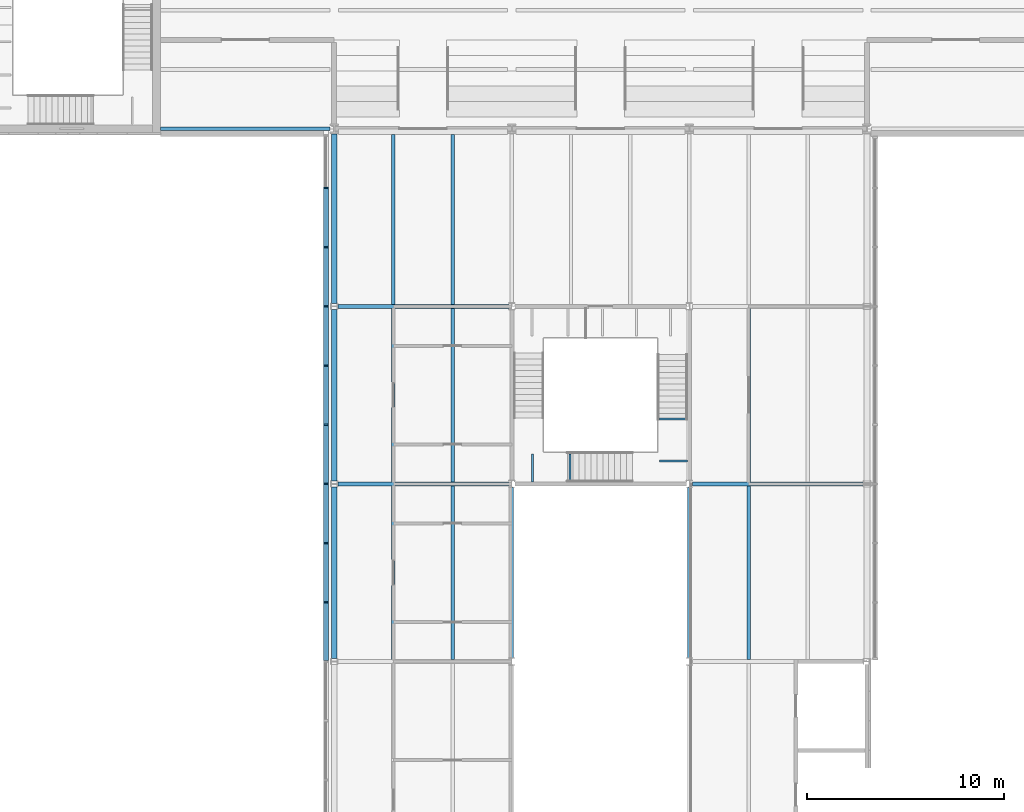
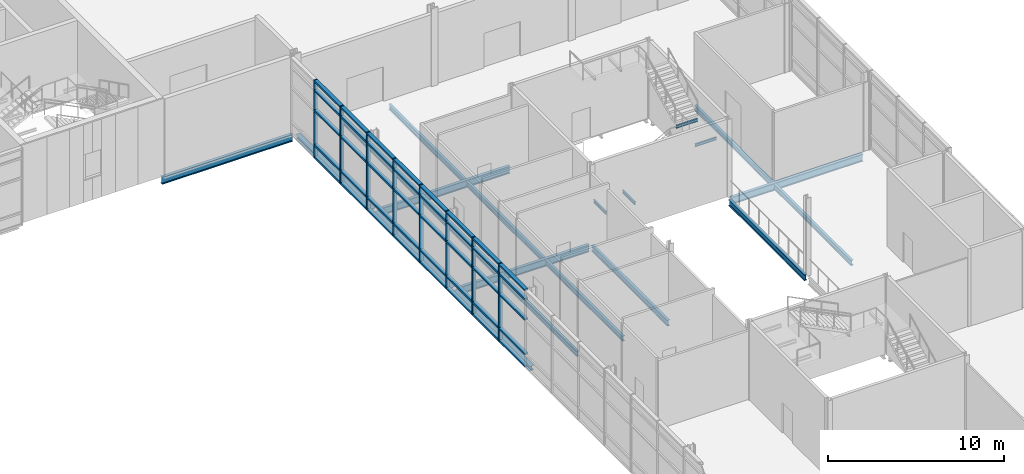
# One storey, part 17 of 52: 48 members, 21 beams, 1 element without a shape of its own.
"""IFC4 building model written with IfcOpenShell, lengths in metres."""

from ifc_helpers import new_model, si_unit, direction, frame, origin, origin_2d, place, context, subcontext, project, spatial, rectangle, i_section, extrude, material, material_profile, profile_set, type_object, element, aggregate, save


model = new_model("IFC4")

# Units and contexts
model_context = context("Model", 3, precision=1e-05, world=origin(), true_north=direction((0.0, 1.0)))
body_context = subcontext(model_context, "Body", "Model", "MODEL_VIEW")
ifc_project = project(units=[si_unit("LENGTHUNIT", "METRE"), si_unit("AREAUNIT", "SQUARE_METRE"), si_unit("VOLUMEUNIT", "CUBIC_METRE"), si_unit("PLANEANGLEUNIT", "RADIAN"), si_unit("MASSUNIT", "GRAM", prefix="KILO")], contexts=[model_context])

# Site, building, storey
site_placement = place(None, origin())
site = spatial("IfcSite", under=ifc_project, at=site_placement, CompositionType="ELEMENT")
building_placement = place(site_placement, origin())
building = spatial("IfcBuilding", under=site, at=building_placement, Name="Azimuth Sports and Learning Centre", CompositionType="ELEMENT")
storey_placement = place(building_placement, frame((0.0, 0.0, 16.199951171875)))
storey = spatial("IfcBuildingStorey", under=building, at=storey_placement, Name="L03", CompositionType="ELEMENT", Elevation=16.199951171875)

# Beams
ifc_material_1 = material(Name="Steel S355", Category="steel")
ifc_material_profile_1 = material_profile(ifc_material_1, i_section(OverallWidth=0.10009765625, OverallDepth=0.199951171875, WebThickness=0.005615234375, FlangeThickness=0.008544921875, FilletRadius=0.011962890625, at=origin_2d()), Name="IPE 200")
ifc_profile_set_1 = profile_set([ifc_material_profile_1], Name="Steel S355")
beam_type_1 = type_object("IfcBeamType", Name="Beam IPE 200", PredefinedType="BEAM", material=ifc_profile_set_1)
for number, where, z_axis, x_axis, name in (
    (1, (82.06005859375, 72.10009765625, 1.5), (0.0, 1.0, 0.0), (-1.0, 0.0, 0.0), "Landing bracket STD L03 1188"),
    (2, (83.9599609375, 72.10009765625, 1.5), (0.0, 1.0, 0.0), (-1.0, 0.0, 0.0), "Landing bracket STD L03 1189"),
    (3, (89.89990234375, 73.172607421875, 3.300048828125), (-1.0, 0.0, 0.0), (0.0, -1.0, 0.0), "Landing bracket STD L03 1190"),
    (4, (89.89990234375, 75.297607421875, 3.300048828125), (-1.0, 0.0, 0.0), (0.0, -1.0, 0.0), "Landing bracket STD L03 1191"),
):
    element("IfcBeam", number, at=place(storey_placement, frame(where, z_axis=z_axis, x_axis=x_axis)), inside=storey, type_object=beam_type_1, Name=name, PredefinedType="BEAM", context=body_context, shape_type="SweptSolid", body=[
        extrude(i_section(OverallWidth=0.10009765625, OverallDepth=0.199951171875, WebThickness=0.005615234375, FlangeThickness=0.008544921875, FilletRadius=0.011962890625, at=origin_2d()), origin(), (0.0, 0.0, 1.0), 1.409912109375),
    ])
ifc_material_2 = material(Name="Steel S355", Category="steel")
ifc_material_profile_2 = material_profile(ifc_material_2, i_section(OverallWidth=0.179931640625, OverallDepth=0.39990234375, WebThickness=0.008544921875, FlangeThickness=0.013427734375, FilletRadius=0.02099609375, at=origin_2d()), Name="IPE 400")
ifc_profile_set_2 = profile_set([ifc_material_profile_2], Name="Steel S355")
beam_type_2 = type_object("IfcBeamType", Name="Beam IPE 400", PredefinedType="BEAM", material=ifc_profile_set_2)
for number, where, z_axis, x_axis, name in (
    (5, (81.0, 63.179931640625, -0.349853515625), (0.0, 1.0, 0.0), (-1.0, 0.0, 0.0), "Beam L03 ST 33"),
    (6, (90.0, 63.179931640625, -0.349853515625), (0.0, 1.0, 0.0), (-1.0, 0.0, 0.0), "Beam L03 ST 39"),
):
    element("IfcBeam", number, at=place(storey_placement, frame(where, z_axis=z_axis, x_axis=x_axis)), inside=storey, type_object=beam_type_2, Name=name, PredefinedType="BEAM", context=body_context, shape_type="SweptSolid", body=[
        extrude(i_section(OverallWidth=0.179931640625, OverallDepth=0.39990234375, WebThickness=0.008544921875, FlangeThickness=0.013427734375, FilletRadius=0.02099609375, at=origin_2d()), origin(), (0.0, 0.0, 1.0), 8.64013671875),
    ])
ifc_material_3 = material(Name="Steel S355", Category="steel")
ifc_material_profile_3 = material_profile(ifc_material_3, i_section(OverallWidth=0.199951171875, OverallDepth=0.5, WebThickness=0.01025390625, FlangeThickness=0.01611328125, FilletRadius=0.02099609375, at=origin_2d()), Name="IPE 500")
ifc_profile_set_3 = profile_set([ifc_material_profile_3], Name="Steel S355")
beam_type_3 = type_object("IfcBeamType", Name="Beam IPE 500", PredefinedType="BEAM", material=ifc_profile_set_3)
for number, where, z_axis, x_axis, name in (
    (7, (72.179931640625, 72.0, -0.39990234375), (1.0, 0.0, 0.0), (0.0, 1.0, 0.0), "Beam L03 ST 14"),
    (8, (90.14990234375, 72.0, -0.39990234375), (1.0, 0.0, 0.0), (0.0, 1.0, 0.0), "Beam L03 ST 15"),
    (9, (72.179931640625, 81.0, -0.39990234375), (1.0, 0.0, 0.0), (0.0, 1.0, 0.0), "Beam L03 ST 16"),
):
    element("IfcBeam", number, at=place(storey_placement, frame(where, z_axis=z_axis, x_axis=x_axis)), inside=storey, type_object=beam_type_3, Name=name, PredefinedType="BEAM", context=body_context, shape_type="SweptSolid", body=[
        extrude(i_section(OverallWidth=0.199951171875, OverallDepth=0.5, WebThickness=0.01025390625, FlangeThickness=0.01611328125, FilletRadius=0.02099609375, at=origin_2d()), origin(), (0.0, 0.0, 1.0), 8.670166015625),
    ])
beam_1_placement = place(storey_placement, frame((63.199951171875, 90.0, -0.469970703125), z_axis=(1.0, 0.0, 0.0), x_axis=(0.0, 1.0, 0.0)))
element("IfcBeam", 10, at=beam_1_placement, inside=storey, type_object=beam_type_3, Name="Hall B floor edge girder 9", PredefinedType="BEAM", context=body_context, shape_type="SweptSolid", body=[
    extrude(i_section(OverallWidth=0.199951171875, OverallDepth=0.5, WebThickness=0.01025390625, FlangeThickness=0.01611328125, FilletRadius=0.02099609375, at=origin_2d()), origin(), (0.0, 0.0, 1.0), 8.58154296875),
])
ifc_material_4 = material(Name="Steel S355", Category="steel")
ifc_material_profile_4 = material_profile(ifc_material_4, i_section(OverallWidth=0.300048828125, OverallDepth=0.330078125, WebThickness=0.009521484375, FlangeThickness=0.0166015625, FilletRadius=0.027099609375, at=origin_2d()), Name="HEA 340")
ifc_profile_set_4 = profile_set([ifc_material_profile_4], Name="Steel S355")
beam_type_4 = type_object("IfcBeamType", Name="Edge beam HEA 340", PredefinedType="SPANDREL", material=ifc_profile_set_4)
for number, where, z_axis, x_axis, name in (
    (11, (72.0, 63.14990234375, -0.31494140625), (0.0, 1.0, 0.0), (-1.0, 0.0, 0.0), "Edge beam L03 ST 26"),
    (12, (72.0, 72.14990234375, -0.31494140625), (0.0, 1.0, 0.0), (-1.0, 0.0, 0.0), "Edge beam L03 ST 27"),
):
    element("IfcBeam", number, at=place(storey_placement, frame(where, z_axis=z_axis, x_axis=x_axis)), inside=storey, type_object=beam_type_4, Name=name, PredefinedType="SPANDREL", context=body_context, shape_type="SweptSolid", body=[
        extrude(i_section(OverallWidth=0.300048828125, OverallDepth=0.330078125, WebThickness=0.009521484375, FlangeThickness=0.0166015625, FilletRadius=0.027099609375, at=origin_2d()), origin(), (0.0, 0.0, 1.0), 8.7001953125),
    ])
beam_2_placement = place(storey_placement, frame((72.0, 81.14990234375, -0.31494140625), z_axis=(0.0, 1.0, 0.0), x_axis=(-1.0, 0.0, 0.0)))
element("IfcBeam", 13, at=beam_2_placement, inside=storey, type_object=beam_type_4, Name="Edge beam L03 ST 28", PredefinedType="SPANDREL", context=body_context, shape_type="SweptSolid", body=[
    extrude(i_section(OverallWidth=0.300048828125, OverallDepth=0.330078125, WebThickness=0.009521484375, FlangeThickness=0.0166015625, FilletRadius=0.027099609375, at=origin_2d()), origin(), (0.0, 0.0, 1.0), 8.593017578125),
])
ifc_material_5 = material(Name="Steel S355", Category="steel")
ifc_material_profile_5 = material_profile(ifc_material_5, i_section(OverallWidth=0.169921875, OverallDepth=0.360107421875, WebThickness=0.008056640625, FlangeThickness=0.0126953125, FilletRadius=0.01806640625, at=origin_2d()), Name="IPE 360")
ifc_profile_set_5 = profile_set([ifc_material_profile_5], Name="Steel S355")
beam_type_5 = type_object("IfcBeamType", Name="Joist IPE 360", PredefinedType="JOIST", material=ifc_profile_set_5)
for number, where, z_axis, x_axis, name in (
    (14, (75.0, 63.10009765625, -0.329833984375), (0.0, 1.0, 0.0), (-1.0, 0.0, 0.0), "Joist L03 ST 53"),
    (15, (75.0, 72.10009765625, -0.329833984375), (0.0, 1.0, 0.0), (-1.0, 0.0, 0.0), "Joist L03 ST 54"),
):
    element("IfcBeam", number, at=place(storey_placement, frame(where, z_axis=z_axis, x_axis=x_axis)), inside=storey, type_object=beam_type_5, Name=name, PredefinedType="JOIST", context=body_context, shape_type="SweptSolid", body=[
        extrude(i_section(OverallWidth=0.169921875, OverallDepth=0.360107421875, WebThickness=0.008056640625, FlangeThickness=0.0126953125, FilletRadius=0.01806640625, at=origin_2d()), origin(), (0.0, 0.0, 1.0), 8.7998046875),
    ])
beam_3_placement = place(storey_placement, frame((75.0, 81.10009765625, -0.329833984375), z_axis=(0.0, 1.0, 0.0), x_axis=(-1.0, 0.0, 0.0)))
element("IfcBeam", 16, at=beam_3_placement, inside=storey, type_object=beam_type_5, Name="Joist L03 ST 55", PredefinedType="JOIST", context=body_context, shape_type="SweptSolid", body=[
    extrude(i_section(OverallWidth=0.169921875, OverallDepth=0.360107421875, WebThickness=0.008056640625, FlangeThickness=0.0126953125, FilletRadius=0.01806640625, at=origin_2d()), origin(), (0.0, 0.0, 1.0), 8.599853515625),
])
for number, where, z_axis, x_axis, name in (
    (17, (78.0, 63.10009765625, -0.329833984375), (0.0, 1.0, 0.0), (-1.0, 0.0, 0.0), "Joist L03 ST 61"),
    (18, (78.0, 72.10009765625, -0.329833984375), (0.0, 1.0, 0.0), (-1.0, 0.0, 0.0), "Joist L03 ST 62"),
):
    element("IfcBeam", number, at=place(storey_placement, frame(where, z_axis=z_axis, x_axis=x_axis)), inside=storey, type_object=beam_type_5, Name=name, PredefinedType="JOIST", context=body_context, shape_type="SweptSolid", body=[
        extrude(i_section(OverallWidth=0.169921875, OverallDepth=0.360107421875, WebThickness=0.008056640625, FlangeThickness=0.0126953125, FilletRadius=0.01806640625, at=origin_2d()), origin(), (0.0, 0.0, 1.0), 8.7998046875),
    ])
beam_4_placement = place(storey_placement, frame((78.0, 81.10009765625, -0.329833984375), z_axis=(0.0, 1.0, 0.0), x_axis=(-1.0, 0.0, 0.0)))
element("IfcBeam", 19, at=beam_4_placement, inside=storey, type_object=beam_type_5, Name="Joist L03 ST 63", PredefinedType="JOIST", context=body_context, shape_type="SweptSolid", body=[
    extrude(i_section(OverallWidth=0.169921875, OverallDepth=0.360107421875, WebThickness=0.008056640625, FlangeThickness=0.0126953125, FilletRadius=0.01806640625, at=origin_2d()), origin(), (0.0, 0.0, 1.0), 8.599853515625),
])
for number, where, z_axis, x_axis, name in (
    (20, (93.0, 63.10009765625, -0.329833984375), (0.0, 1.0, 0.0), (-1.0, 0.0, 0.0), "Joist L03 ST 81"),
    (21, (93.0, 72.10009765625, -0.329833984375), (0.0, 1.0, 0.0), (-1.0, 0.0, 0.0), "Joist L03 ST 82"),
):
    element("IfcBeam", number, at=place(storey_placement, frame(where, z_axis=z_axis, x_axis=x_axis)), inside=storey, type_object=beam_type_5, Name=name, PredefinedType="JOIST", context=body_context, shape_type="SweptSolid", body=[
        extrude(i_section(OverallWidth=0.169921875, OverallDepth=0.360107421875, WebThickness=0.008056640625, FlangeThickness=0.0126953125, FilletRadius=0.01806640625, at=origin_2d()), origin(), (0.0, 0.0, 1.0), 8.7998046875),
    ])

# Curtain wall, members
ifc_material_6 = material(Name="Aluminium and glass", Category="aluminium")
curtain_wall_type = type_object("IfcCurtainWallType", Name="Curtain wall podium stem 240", PredefinedType="NOTDEFINED", material=ifc_material_6)
curtain_wall_placement = place(storey_placement, origin())
curtain_wall = element("IfcCurtainWall", 22, at=curtain_wall_placement, inside=storey, type_object=curtain_wall_type, Name="Curtain wall CW03-003", PredefinedType="NOTDEFINED")
ifc_material_7 = material(Name="Aluminium", Category="aluminium")
ifc_material_profile_6 = material_profile(ifc_material_7, rectangle(XDim=0.239990234375, YDim=0.080078125, at=origin_2d()), Name="Mullion 80x240")
ifc_profile_set_6 = profile_set([ifc_material_profile_6], Name="Aluminium")
member_type_1 = type_object("IfcMemberType", Name="Mullion 80x240", PredefinedType="MULLION", material=ifc_profile_set_6)
member_1_placement = place(storey_placement, frame((71.580078125, 87.0, 0.0), z_axis=(0.0, 0.0, 1.0), x_axis=(1.0, 0.0, 0.0)))
member_1 = element("IfcMember", 23, at=member_1_placement, type_object=member_type_1, Name="CW03-003 mullion 2", PredefinedType="MULLION", context=body_context, shape_type="SweptSolid", body=[
    extrude(rectangle(XDim=0.239990234375, YDim=0.080078125, at=origin_2d()), origin(), (0.0, 0.0, 1.0), 5.400146484375),
])
member_2_placement = place(storey_placement, frame((71.580078125, 84.0, 0.0), z_axis=(0.0, 0.0, 1.0), x_axis=(1.0, 0.0, 0.0)))
member_2 = element("IfcMember", 24, at=member_2_placement, type_object=member_type_1, Name="CW03-003 mullion 3", PredefinedType="MULLION", context=body_context, shape_type="SweptSolid", body=[
    extrude(rectangle(XDim=0.239990234375, YDim=0.080078125, at=origin_2d()), origin(), (0.0, 0.0, 1.0), 5.400146484375),
])
member_3_placement = place(storey_placement, frame((71.580078125, 81.0, 0.0), z_axis=(0.0, 0.0, 1.0), x_axis=(1.0, 0.0, 0.0)))
member_3 = element("IfcMember", 25, at=member_3_placement, type_object=member_type_1, Name="CW03-003 mullion 4", PredefinedType="MULLION", context=body_context, shape_type="SweptSolid", body=[
    extrude(rectangle(XDim=0.239990234375, YDim=0.080078125, at=origin_2d()), origin(), (0.0, 0.0, 1.0), 5.400146484375),
])
member_4_placement = place(storey_placement, frame((71.580078125, 78.0, 0.0), z_axis=(0.0, 0.0, 1.0), x_axis=(1.0, 0.0, 0.0)))
member_4 = element("IfcMember", 26, at=member_4_placement, type_object=member_type_1, Name="CW03-003 mullion 5", PredefinedType="MULLION", context=body_context, shape_type="SweptSolid", body=[
    extrude(rectangle(XDim=0.239990234375, YDim=0.080078125, at=origin_2d()), origin(), (0.0, 0.0, 1.0), 5.400146484375),
])
member_5_placement = place(storey_placement, frame((71.580078125, 75.0, 0.0), z_axis=(0.0, 0.0, 1.0), x_axis=(1.0, 0.0, 0.0)))
member_5 = element("IfcMember", 27, at=member_5_placement, type_object=member_type_1, Name="CW03-003 mullion 6", PredefinedType="MULLION", context=body_context, shape_type="SweptSolid", body=[
    extrude(rectangle(XDim=0.239990234375, YDim=0.080078125, at=origin_2d()), origin(), (0.0, 0.0, 1.0), 5.400146484375),
])
member_6_placement = place(storey_placement, frame((71.580078125, 72.0, 0.0), z_axis=(0.0, 0.0, 1.0), x_axis=(1.0, 0.0, 0.0)))
member_6 = element("IfcMember", 28, at=member_6_placement, type_object=member_type_1, Name="CW03-003 mullion 7", PredefinedType="MULLION", context=body_context, shape_type="SweptSolid", body=[
    extrude(rectangle(XDim=0.239990234375, YDim=0.080078125, at=origin_2d()), origin(), (0.0, 0.0, 1.0), 5.400146484375),
])
member_7_placement = place(storey_placement, frame((71.580078125, 69.0, 0.0), z_axis=(0.0, 0.0, 1.0), x_axis=(1.0, 0.0, 0.0)))
member_7 = element("IfcMember", 29, at=member_7_placement, type_object=member_type_1, Name="CW03-003 mullion 8", PredefinedType="MULLION", context=body_context, shape_type="SweptSolid", body=[
    extrude(rectangle(XDim=0.239990234375, YDim=0.080078125, at=origin_2d()), origin(), (0.0, 0.0, 1.0), 5.400146484375),
])
member_8_placement = place(storey_placement, frame((71.580078125, 66.0, 0.0), z_axis=(0.0, 0.0, 1.0), x_axis=(1.0, 0.0, 0.0)))
member_8 = element("IfcMember", 30, at=member_8_placement, type_object=member_type_1, Name="CW03-003 mullion 9", PredefinedType="MULLION", context=body_context, shape_type="SweptSolid", body=[
    extrude(rectangle(XDim=0.239990234375, YDim=0.080078125, at=origin_2d()), origin(), (0.0, 0.0, 1.0), 5.400146484375),
])
ifc_material_8 = material(Name="Aluminium", Category="aluminium")
ifc_material_profile_7 = material_profile(ifc_material_8, rectangle(XDim=0.239990234375, YDim=0.1201171875, at=origin_2d()), Name="Transom 120x240")
ifc_profile_set_7 = profile_set([ifc_material_profile_7], Name="Aluminium")
member_type_2 = type_object("IfcMemberType", Name="Transom 120x240", PredefinedType="USERDEFINED", material=ifc_profile_set_7)
member_9_placement = place(storey_placement, frame((71.580078125, 86.9599609375, 0.06005859375), z_axis=(0.0, -1.0, 0.0), x_axis=(1.0, 0.0, 0.0)))
member_9 = element("IfcMember", 31, at=member_9_placement, type_object=member_type_2, Name="CW03-003 transom 2.1", ObjectType="TRANSOM", PredefinedType="USERDEFINED", context=body_context, shape_type="SweptSolid", body=[
    extrude(rectangle(XDim=0.239990234375, YDim=0.1201171875, at=origin_2d()), origin(), (0.0, 0.0, 1.0), 2.919921875),
])
member_10_placement = place(storey_placement, frame((71.580078125, 86.9599609375, 0.900146484375), z_axis=(0.0, -1.0, 0.0), x_axis=(1.0, 0.0, 0.0)))
member_10 = element("IfcMember", 32, at=member_10_placement, type_object=member_type_2, Name="CW03-003 transom 2.2", ObjectType="TRANSOM", PredefinedType="USERDEFINED", context=body_context, shape_type="SweptSolid", body=[
    extrude(rectangle(XDim=0.239990234375, YDim=0.1201171875, at=origin_2d()), origin(), (0.0, 0.0, 1.0), 2.919921875),
])
member_11_placement = place(storey_placement, frame((71.580078125, 86.9599609375, 3.300048828125), z_axis=(0.0, -1.0, 0.0), x_axis=(1.0, 0.0, 0.0)))
member_11 = element("IfcMember", 33, at=member_11_placement, type_object=member_type_2, Name="CW03-003 transom 2.3", ObjectType="TRANSOM", PredefinedType="USERDEFINED", context=body_context, shape_type="SweptSolid", body=[
    extrude(rectangle(XDim=0.239990234375, YDim=0.1201171875, at=origin_2d()), origin(), (0.0, 0.0, 1.0), 2.919921875),
])
member_12_placement = place(storey_placement, frame((71.580078125, 86.9599609375, 4.699951171875), z_axis=(0.0, -1.0, 0.0), x_axis=(1.0, 0.0, 0.0)))
member_12 = element("IfcMember", 34, at=member_12_placement, type_object=member_type_2, Name="CW03-003 transom 2.4", ObjectType="TRANSOM", PredefinedType="USERDEFINED", context=body_context, shape_type="SweptSolid", body=[
    extrude(rectangle(XDim=0.239990234375, YDim=0.1201171875, at=origin_2d()), origin(), (0.0, 0.0, 1.0), 2.919921875),
])
member_13_placement = place(storey_placement, frame((71.580078125, 86.9599609375, 5.340087890625), z_axis=(0.0, -1.0, 0.0), x_axis=(1.0, 0.0, 0.0)))
member_13 = element("IfcMember", 35, at=member_13_placement, type_object=member_type_2, Name="CW03-003 transom 2.5", ObjectType="TRANSOM", PredefinedType="USERDEFINED", context=body_context, shape_type="SweptSolid", body=[
    extrude(rectangle(XDim=0.239990234375, YDim=0.1201171875, at=origin_2d()), origin(), (0.0, 0.0, 1.0), 2.919921875),
])
member_14_placement = place(storey_placement, frame((71.580078125, 83.9599609375, 0.06005859375), z_axis=(0.0, -1.0, 0.0), x_axis=(1.0, 0.0, 0.0)))
member_14 = element("IfcMember", 36, at=member_14_placement, type_object=member_type_2, Name="CW03-003 transom 3.1", ObjectType="TRANSOM", PredefinedType="USERDEFINED", context=body_context, shape_type="SweptSolid", body=[
    extrude(rectangle(XDim=0.239990234375, YDim=0.1201171875, at=origin_2d()), origin(), (0.0, 0.0, 1.0), 2.919921875),
])
member_15_placement = place(storey_placement, frame((71.580078125, 83.9599609375, 0.900146484375), z_axis=(0.0, -1.0, 0.0), x_axis=(1.0, 0.0, 0.0)))
member_15 = element("IfcMember", 37, at=member_15_placement, type_object=member_type_2, Name="CW03-003 transom 3.2", ObjectType="TRANSOM", PredefinedType="USERDEFINED", context=body_context, shape_type="SweptSolid", body=[
    extrude(rectangle(XDim=0.239990234375, YDim=0.1201171875, at=origin_2d()), origin(), (0.0, 0.0, 1.0), 2.919921875),
])
member_16_placement = place(storey_placement, frame((71.580078125, 83.9599609375, 3.300048828125), z_axis=(0.0, -1.0, 0.0), x_axis=(1.0, 0.0, 0.0)))
member_16 = element("IfcMember", 38, at=member_16_placement, type_object=member_type_2, Name="CW03-003 transom 3.3", ObjectType="TRANSOM", PredefinedType="USERDEFINED", context=body_context, shape_type="SweptSolid", body=[
    extrude(rectangle(XDim=0.239990234375, YDim=0.1201171875, at=origin_2d()), origin(), (0.0, 0.0, 1.0), 2.919921875),
])
member_17_placement = place(storey_placement, frame((71.580078125, 83.9599609375, 4.699951171875), z_axis=(0.0, -1.0, 0.0), x_axis=(1.0, 0.0, 0.0)))
member_17 = element("IfcMember", 39, at=member_17_placement, type_object=member_type_2, Name="CW03-003 transom 3.4", ObjectType="TRANSOM", PredefinedType="USERDEFINED", context=body_context, shape_type="SweptSolid", body=[
    extrude(rectangle(XDim=0.239990234375, YDim=0.1201171875, at=origin_2d()), origin(), (0.0, 0.0, 1.0), 2.919921875),
])
member_18_placement = place(storey_placement, frame((71.580078125, 83.9599609375, 5.340087890625), z_axis=(0.0, -1.0, 0.0), x_axis=(1.0, 0.0, 0.0)))
member_18 = element("IfcMember", 40, at=member_18_placement, type_object=member_type_2, Name="CW03-003 transom 3.5", ObjectType="TRANSOM", PredefinedType="USERDEFINED", context=body_context, shape_type="SweptSolid", body=[
    extrude(rectangle(XDim=0.239990234375, YDim=0.1201171875, at=origin_2d()), origin(), (0.0, 0.0, 1.0), 2.919921875),
])
member_19_placement = place(storey_placement, frame((71.580078125, 80.9599609375, 0.06005859375), z_axis=(0.0, -1.0, 0.0), x_axis=(1.0, 0.0, 0.0)))
member_19 = element("IfcMember", 41, at=member_19_placement, type_object=member_type_2, Name="CW03-003 transom 4.1", ObjectType="TRANSOM", PredefinedType="USERDEFINED", context=body_context, shape_type="SweptSolid", body=[
    extrude(rectangle(XDim=0.239990234375, YDim=0.1201171875, at=origin_2d()), origin(), (0.0, 0.0, 1.0), 2.919921875),
])
member_20_placement = place(storey_placement, frame((71.580078125, 80.9599609375, 0.900146484375), z_axis=(0.0, -1.0, 0.0), x_axis=(1.0, 0.0, 0.0)))
member_20 = element("IfcMember", 42, at=member_20_placement, type_object=member_type_2, Name="CW03-003 transom 4.2", ObjectType="TRANSOM", PredefinedType="USERDEFINED", context=body_context, shape_type="SweptSolid", body=[
    extrude(rectangle(XDim=0.239990234375, YDim=0.1201171875, at=origin_2d()), origin(), (0.0, 0.0, 1.0), 2.919921875),
])
member_21_placement = place(storey_placement, frame((71.580078125, 80.9599609375, 3.300048828125), z_axis=(0.0, -1.0, 0.0), x_axis=(1.0, 0.0, 0.0)))
member_21 = element("IfcMember", 43, at=member_21_placement, type_object=member_type_2, Name="CW03-003 transom 4.3", ObjectType="TRANSOM", PredefinedType="USERDEFINED", context=body_context, shape_type="SweptSolid", body=[
    extrude(rectangle(XDim=0.239990234375, YDim=0.1201171875, at=origin_2d()), origin(), (0.0, 0.0, 1.0), 2.919921875),
])
member_22_placement = place(storey_placement, frame((71.580078125, 80.9599609375, 4.699951171875), z_axis=(0.0, -1.0, 0.0), x_axis=(1.0, 0.0, 0.0)))
member_22 = element("IfcMember", 44, at=member_22_placement, type_object=member_type_2, Name="CW03-003 transom 4.4", ObjectType="TRANSOM", PredefinedType="USERDEFINED", context=body_context, shape_type="SweptSolid", body=[
    extrude(rectangle(XDim=0.239990234375, YDim=0.1201171875, at=origin_2d()), origin(), (0.0, 0.0, 1.0), 2.919921875),
])
member_23_placement = place(storey_placement, frame((71.580078125, 80.9599609375, 5.340087890625), z_axis=(0.0, -1.0, 0.0), x_axis=(1.0, 0.0, 0.0)))
member_23 = element("IfcMember", 45, at=member_23_placement, type_object=member_type_2, Name="CW03-003 transom 4.5", ObjectType="TRANSOM", PredefinedType="USERDEFINED", context=body_context, shape_type="SweptSolid", body=[
    extrude(rectangle(XDim=0.239990234375, YDim=0.1201171875, at=origin_2d()), origin(), (0.0, 0.0, 1.0), 2.919921875),
])
member_24_placement = place(storey_placement, frame((71.580078125, 77.9599609375, 0.06005859375), z_axis=(0.0, -1.0, 0.0), x_axis=(1.0, 0.0, 0.0)))
member_24 = element("IfcMember", 46, at=member_24_placement, type_object=member_type_2, Name="CW03-003 transom 5.1", ObjectType="TRANSOM", PredefinedType="USERDEFINED", context=body_context, shape_type="SweptSolid", body=[
    extrude(rectangle(XDim=0.239990234375, YDim=0.1201171875, at=origin_2d()), origin(), (0.0, 0.0, 1.0), 2.919921875),
])
member_25_placement = place(storey_placement, frame((71.580078125, 77.9599609375, 0.900146484375), z_axis=(0.0, -1.0, 0.0), x_axis=(1.0, 0.0, 0.0)))
member_25 = element("IfcMember", 47, at=member_25_placement, type_object=member_type_2, Name="CW03-003 transom 5.2", ObjectType="TRANSOM", PredefinedType="USERDEFINED", context=body_context, shape_type="SweptSolid", body=[
    extrude(rectangle(XDim=0.239990234375, YDim=0.1201171875, at=origin_2d()), origin(), (0.0, 0.0, 1.0), 2.919921875),
])
member_26_placement = place(storey_placement, frame((71.580078125, 77.9599609375, 3.300048828125), z_axis=(0.0, -1.0, 0.0), x_axis=(1.0, 0.0, 0.0)))
member_26 = element("IfcMember", 48, at=member_26_placement, type_object=member_type_2, Name="CW03-003 transom 5.3", ObjectType="TRANSOM", PredefinedType="USERDEFINED", context=body_context, shape_type="SweptSolid", body=[
    extrude(rectangle(XDim=0.239990234375, YDim=0.1201171875, at=origin_2d()), origin(), (0.0, 0.0, 1.0), 2.919921875),
])
member_27_placement = place(storey_placement, frame((71.580078125, 77.9599609375, 4.699951171875), z_axis=(0.0, -1.0, 0.0), x_axis=(1.0, 0.0, 0.0)))
member_27 = element("IfcMember", 49, at=member_27_placement, type_object=member_type_2, Name="CW03-003 transom 5.4", ObjectType="TRANSOM", PredefinedType="USERDEFINED", context=body_context, shape_type="SweptSolid", body=[
    extrude(rectangle(XDim=0.239990234375, YDim=0.1201171875, at=origin_2d()), origin(), (0.0, 0.0, 1.0), 2.919921875),
])
member_28_placement = place(storey_placement, frame((71.580078125, 77.9599609375, 5.340087890625), z_axis=(0.0, -1.0, 0.0), x_axis=(1.0, 0.0, 0.0)))
member_28 = element("IfcMember", 50, at=member_28_placement, type_object=member_type_2, Name="CW03-003 transom 5.5", ObjectType="TRANSOM", PredefinedType="USERDEFINED", context=body_context, shape_type="SweptSolid", body=[
    extrude(rectangle(XDim=0.239990234375, YDim=0.1201171875, at=origin_2d()), origin(), (0.0, 0.0, 1.0), 2.919921875),
])
member_29_placement = place(storey_placement, frame((71.580078125, 74.9599609375, 0.06005859375), z_axis=(0.0, -1.0, 0.0), x_axis=(1.0, 0.0, 0.0)))
member_29 = element("IfcMember", 51, at=member_29_placement, type_object=member_type_2, Name="CW03-003 transom 6.1", ObjectType="TRANSOM", PredefinedType="USERDEFINED", context=body_context, shape_type="SweptSolid", body=[
    extrude(rectangle(XDim=0.239990234375, YDim=0.1201171875, at=origin_2d()), origin(), (0.0, 0.0, 1.0), 2.919921875),
])
member_30_placement = place(storey_placement, frame((71.580078125, 74.9599609375, 0.900146484375), z_axis=(0.0, -1.0, 0.0), x_axis=(1.0, 0.0, 0.0)))
member_30 = element("IfcMember", 52, at=member_30_placement, type_object=member_type_2, Name="CW03-003 transom 6.2", ObjectType="TRANSOM", PredefinedType="USERDEFINED", context=body_context, shape_type="SweptSolid", body=[
    extrude(rectangle(XDim=0.239990234375, YDim=0.1201171875, at=origin_2d()), origin(), (0.0, 0.0, 1.0), 2.919921875),
])
member_31_placement = place(storey_placement, frame((71.580078125, 74.9599609375, 3.300048828125), z_axis=(0.0, -1.0, 0.0), x_axis=(1.0, 0.0, 0.0)))
member_31 = element("IfcMember", 53, at=member_31_placement, type_object=member_type_2, Name="CW03-003 transom 6.3", ObjectType="TRANSOM", PredefinedType="USERDEFINED", context=body_context, shape_type="SweptSolid", body=[
    extrude(rectangle(XDim=0.239990234375, YDim=0.1201171875, at=origin_2d()), origin(), (0.0, 0.0, 1.0), 2.919921875),
])
member_32_placement = place(storey_placement, frame((71.580078125, 74.9599609375, 4.699951171875), z_axis=(0.0, -1.0, 0.0), x_axis=(1.0, 0.0, 0.0)))
member_32 = element("IfcMember", 54, at=member_32_placement, type_object=member_type_2, Name="CW03-003 transom 6.4", ObjectType="TRANSOM", PredefinedType="USERDEFINED", context=body_context, shape_type="SweptSolid", body=[
    extrude(rectangle(XDim=0.239990234375, YDim=0.1201171875, at=origin_2d()), origin(), (0.0, 0.0, 1.0), 2.919921875),
])
member_33_placement = place(storey_placement, frame((71.580078125, 74.9599609375, 5.340087890625), z_axis=(0.0, -1.0, 0.0), x_axis=(1.0, 0.0, 0.0)))
member_33 = element("IfcMember", 55, at=member_33_placement, type_object=member_type_2, Name="CW03-003 transom 6.5", ObjectType="TRANSOM", PredefinedType="USERDEFINED", context=body_context, shape_type="SweptSolid", body=[
    extrude(rectangle(XDim=0.239990234375, YDim=0.1201171875, at=origin_2d()), origin(), (0.0, 0.0, 1.0), 2.919921875),
])
member_34_placement = place(storey_placement, frame((71.580078125, 71.9599609375, 0.06005859375), z_axis=(0.0, -1.0, 0.0), x_axis=(1.0, 0.0, 0.0)))
member_34 = element("IfcMember", 56, at=member_34_placement, type_object=member_type_2, Name="CW03-003 transom 7.1", ObjectType="TRANSOM", PredefinedType="USERDEFINED", context=body_context, shape_type="SweptSolid", body=[
    extrude(rectangle(XDim=0.239990234375, YDim=0.1201171875, at=origin_2d()), origin(), (0.0, 0.0, 1.0), 2.919921875),
])
member_35_placement = place(storey_placement, frame((71.580078125, 71.9599609375, 0.900146484375), z_axis=(0.0, -1.0, 0.0), x_axis=(1.0, 0.0, 0.0)))
member_35 = element("IfcMember", 57, at=member_35_placement, type_object=member_type_2, Name="CW03-003 transom 7.2", ObjectType="TRANSOM", PredefinedType="USERDEFINED", context=body_context, shape_type="SweptSolid", body=[
    extrude(rectangle(XDim=0.239990234375, YDim=0.1201171875, at=origin_2d()), origin(), (0.0, 0.0, 1.0), 2.919921875),
])
member_36_placement = place(storey_placement, frame((71.580078125, 71.9599609375, 3.300048828125), z_axis=(0.0, -1.0, 0.0), x_axis=(1.0, 0.0, 0.0)))
member_36 = element("IfcMember", 58, at=member_36_placement, type_object=member_type_2, Name="CW03-003 transom 7.3", ObjectType="TRANSOM", PredefinedType="USERDEFINED", context=body_context, shape_type="SweptSolid", body=[
    extrude(rectangle(XDim=0.239990234375, YDim=0.1201171875, at=origin_2d()), origin(), (0.0, 0.0, 1.0), 2.919921875),
])
member_37_placement = place(storey_placement, frame((71.580078125, 71.9599609375, 4.699951171875), z_axis=(0.0, -1.0, 0.0), x_axis=(1.0, 0.0, 0.0)))
member_37 = element("IfcMember", 59, at=member_37_placement, type_object=member_type_2, Name="CW03-003 transom 7.4", ObjectType="TRANSOM", PredefinedType="USERDEFINED", context=body_context, shape_type="SweptSolid", body=[
    extrude(rectangle(XDim=0.239990234375, YDim=0.1201171875, at=origin_2d()), origin(), (0.0, 0.0, 1.0), 2.919921875),
])
member_38_placement = place(storey_placement, frame((71.580078125, 71.9599609375, 5.340087890625), z_axis=(0.0, -1.0, 0.0), x_axis=(1.0, 0.0, 0.0)))
member_38 = element("IfcMember", 60, at=member_38_placement, type_object=member_type_2, Name="CW03-003 transom 7.5", ObjectType="TRANSOM", PredefinedType="USERDEFINED", context=body_context, shape_type="SweptSolid", body=[
    extrude(rectangle(XDim=0.239990234375, YDim=0.1201171875, at=origin_2d()), origin(), (0.0, 0.0, 1.0), 2.919921875),
])
member_39_placement = place(storey_placement, frame((71.580078125, 68.9599609375, 0.06005859375), z_axis=(0.0, -1.0, 0.0), x_axis=(1.0, 0.0, 0.0)))
member_39 = element("IfcMember", 61, at=member_39_placement, type_object=member_type_2, Name="CW03-003 transom 8.1", ObjectType="TRANSOM", PredefinedType="USERDEFINED", context=body_context, shape_type="SweptSolid", body=[
    extrude(rectangle(XDim=0.239990234375, YDim=0.1201171875, at=origin_2d()), origin(), (0.0, 0.0, 1.0), 2.919921875),
])
member_40_placement = place(storey_placement, frame((71.580078125, 68.9599609375, 0.900146484375), z_axis=(0.0, -1.0, 0.0), x_axis=(1.0, 0.0, 0.0)))
member_40 = element("IfcMember", 62, at=member_40_placement, type_object=member_type_2, Name="CW03-003 transom 8.2", ObjectType="TRANSOM", PredefinedType="USERDEFINED", context=body_context, shape_type="SweptSolid", body=[
    extrude(rectangle(XDim=0.239990234375, YDim=0.1201171875, at=origin_2d()), origin(), (0.0, 0.0, 1.0), 2.919921875),
])
member_41_placement = place(storey_placement, frame((71.580078125, 68.9599609375, 3.300048828125), z_axis=(0.0, -1.0, 0.0), x_axis=(1.0, 0.0, 0.0)))
member_41 = element("IfcMember", 63, at=member_41_placement, type_object=member_type_2, Name="CW03-003 transom 8.3", ObjectType="TRANSOM", PredefinedType="USERDEFINED", context=body_context, shape_type="SweptSolid", body=[
    extrude(rectangle(XDim=0.239990234375, YDim=0.1201171875, at=origin_2d()), origin(), (0.0, 0.0, 1.0), 2.919921875),
])
member_42_placement = place(storey_placement, frame((71.580078125, 68.9599609375, 4.699951171875), z_axis=(0.0, -1.0, 0.0), x_axis=(1.0, 0.0, 0.0)))
member_42 = element("IfcMember", 64, at=member_42_placement, type_object=member_type_2, Name="CW03-003 transom 8.4", ObjectType="TRANSOM", PredefinedType="USERDEFINED", context=body_context, shape_type="SweptSolid", body=[
    extrude(rectangle(XDim=0.239990234375, YDim=0.1201171875, at=origin_2d()), origin(), (0.0, 0.0, 1.0), 2.919921875),
])
member_43_placement = place(storey_placement, frame((71.580078125, 68.9599609375, 5.340087890625), z_axis=(0.0, -1.0, 0.0), x_axis=(1.0, 0.0, 0.0)))
member_43 = element("IfcMember", 65, at=member_43_placement, type_object=member_type_2, Name="CW03-003 transom 8.5", ObjectType="TRANSOM", PredefinedType="USERDEFINED", context=body_context, shape_type="SweptSolid", body=[
    extrude(rectangle(XDim=0.239990234375, YDim=0.1201171875, at=origin_2d()), origin(), (0.0, 0.0, 1.0), 2.919921875),
])
member_44_placement = place(storey_placement, frame((71.580078125, 65.9599609375, 0.06005859375), z_axis=(0.0, -1.0, 0.0), x_axis=(1.0, 0.0, 0.0)))
member_44 = element("IfcMember", 66, at=member_44_placement, type_object=member_type_2, Name="CW03-003 transom 9.1", ObjectType="TRANSOM", PredefinedType="USERDEFINED", context=body_context, shape_type="SweptSolid", body=[
    extrude(rectangle(XDim=0.239990234375, YDim=0.1201171875, at=origin_2d()), origin(), (0.0, 0.0, 1.0), 2.919921875),
])
member_45_placement = place(storey_placement, frame((71.580078125, 65.9599609375, 0.900146484375), z_axis=(0.0, -1.0, 0.0), x_axis=(1.0, 0.0, 0.0)))
member_45 = element("IfcMember", 67, at=member_45_placement, type_object=member_type_2, Name="CW03-003 transom 9.2", ObjectType="TRANSOM", PredefinedType="USERDEFINED", context=body_context, shape_type="SweptSolid", body=[
    extrude(rectangle(XDim=0.239990234375, YDim=0.1201171875, at=origin_2d()), origin(), (0.0, 0.0, 1.0), 2.919921875),
])
member_46_placement = place(storey_placement, frame((71.580078125, 65.9599609375, 3.300048828125), z_axis=(0.0, -1.0, 0.0), x_axis=(1.0, 0.0, 0.0)))
member_46 = element("IfcMember", 68, at=member_46_placement, type_object=member_type_2, Name="CW03-003 transom 9.3", ObjectType="TRANSOM", PredefinedType="USERDEFINED", context=body_context, shape_type="SweptSolid", body=[
    extrude(rectangle(XDim=0.239990234375, YDim=0.1201171875, at=origin_2d()), origin(), (0.0, 0.0, 1.0), 2.919921875),
])
member_47_placement = place(storey_placement, frame((71.580078125, 65.9599609375, 4.699951171875), z_axis=(0.0, -1.0, 0.0), x_axis=(1.0, 0.0, 0.0)))
member_47 = element("IfcMember", 69, at=member_47_placement, type_object=member_type_2, Name="CW03-003 transom 9.4", ObjectType="TRANSOM", PredefinedType="USERDEFINED", context=body_context, shape_type="SweptSolid", body=[
    extrude(rectangle(XDim=0.239990234375, YDim=0.1201171875, at=origin_2d()), origin(), (0.0, 0.0, 1.0), 2.919921875),
])
member_48_placement = place(storey_placement, frame((71.580078125, 65.9599609375, 5.340087890625), z_axis=(0.0, -1.0, 0.0), x_axis=(1.0, 0.0, 0.0)))
member_48 = element("IfcMember", 70, at=member_48_placement, type_object=member_type_2, Name="CW03-003 transom 9.5", ObjectType="TRANSOM", PredefinedType="USERDEFINED", context=body_context, shape_type="SweptSolid", body=[
    extrude(rectangle(XDim=0.239990234375, YDim=0.1201171875, at=origin_2d()), origin(), (0.0, 0.0, 1.0), 2.919921875),
])
aggregate(curtain_wall, [member_1, member_2, member_3, member_4, member_5, member_6, member_7, member_8, member_9, member_10, member_11, member_12, member_13, member_14, member_15, member_16, member_17, member_18, member_19, member_20, member_21, member_22, member_23, member_24, member_25, member_26, member_27, member_28, member_29, member_30, member_31, member_32, member_33, member_34, member_35, member_36, member_37, member_38, member_39, member_40, member_41, member_42, member_43, member_44, member_45, member_46, member_47, member_48])

save(model, "model.ifc")
